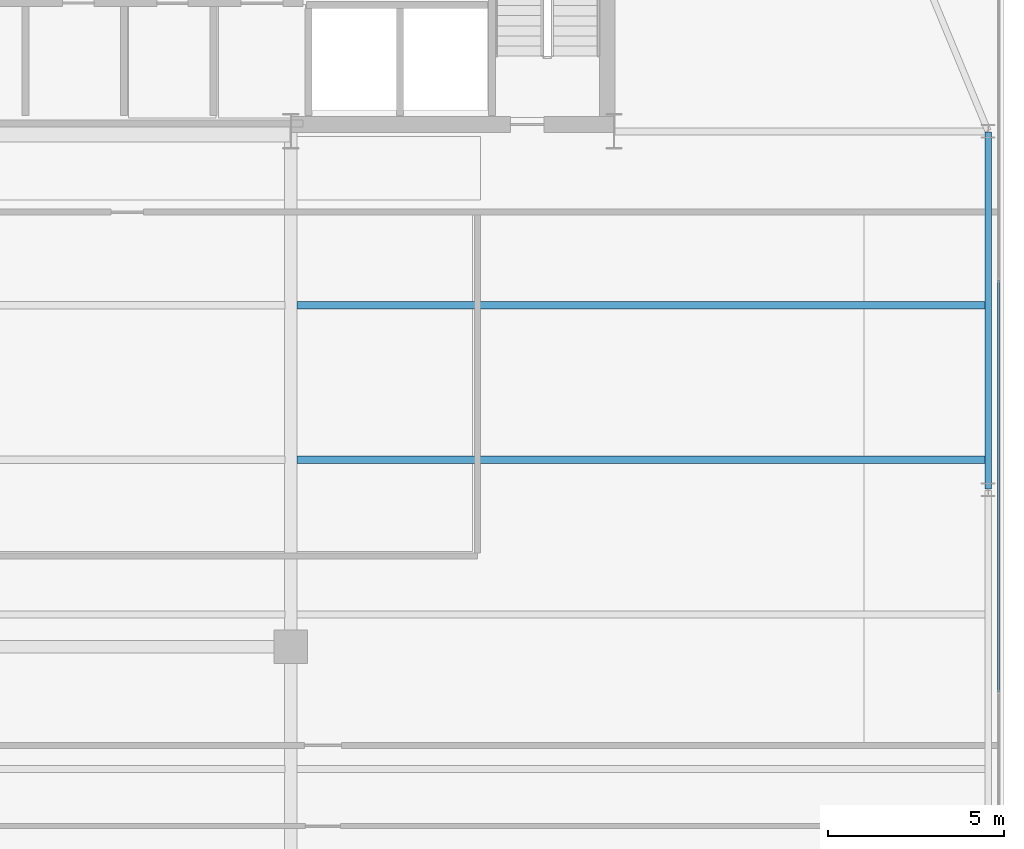
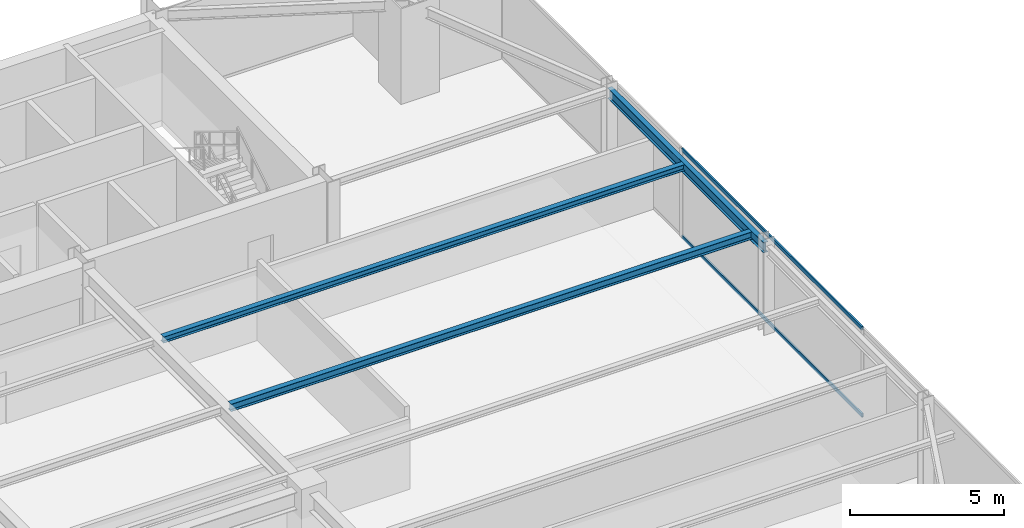
# One storey, part 19 of 31: 3 beams, 2 members, 1 element without a shape of its own.
"""IFC4 building model written with IfcOpenShell, lengths in metres."""

from ifc_helpers import new_model, si_unit, direction, frame, origin, origin_2d, place, context, subcontext, project, spatial, hollow_rectangle, i_section, extrude, source, transform, mapped, material, layer, layer_set, material_profile, profile_set, type_object, type_shapes, element, aggregate, save


model = new_model("IFC4")

# Units and contexts
model_context = context("Model", 3, precision=1e-05, world=origin(), true_north=direction((0.0, 1.0)))
body_context = subcontext(model_context, "Body", "Model", "MODEL_VIEW")
ifc_project = project(units=[si_unit("LENGTHUNIT", "METRE"), si_unit("AREAUNIT", "SQUARE_METRE"), si_unit("VOLUMEUNIT", "CUBIC_METRE"), si_unit("PLANEANGLEUNIT", "RADIAN"), si_unit("MASSUNIT", "GRAM", prefix="KILO")], contexts=[model_context])

# Site, building, storey
site_placement = place(None, origin())
site = spatial("IfcSite", under=ifc_project, at=site_placement, CompositionType="ELEMENT")
building_placement = place(site_placement, origin())
building = spatial("IfcBuilding", under=site, at=building_placement, Name="Varnel Quay Broadcast Tower", CompositionType="ELEMENT")
storey_placement = place(building_placement, frame((0.0, 0.0, 94.60009765625)))
storey = spatial("IfcBuildingStorey", under=building, at=storey_placement, Name="L22", CompositionType="ELEMENT", Elevation=94.60009765625)

# Beams
ifc_material_1 = material(Name="Structural Steel CSA G40.21 350W", Category="steel")
ifc_material_profile_1 = material_profile(ifc_material_1, i_section(OverallWidth=0.180908203125, OverallDepth=0.4169921875, WebThickness=0.010986328125, FlangeThickness=0.018310546875, FilletRadius=0.011962890625, at=origin_2d()), Name="W410X85")
ifc_profile_set_1 = profile_set([ifc_material_profile_1], Name="Structural Steel CSA G40.21 350W")
beam_type_1 = type_object("IfcBeamType", Name="Beam_W410X85", PredefinedType="SPANDREL", material=ifc_profile_set_1)
shared_shape_1 = source(origin(), body_context, "Body", "SweptSolid", [
    extrude(i_section(OverallWidth=0.180908203125, OverallDepth=0.4169921875, WebThickness=0.010986328125, FlangeThickness=0.018310546875, FilletRadius=0.011962890625, at=origin_2d()), origin(), (0.0, 0.0, 1.0), 10.16015625),
])
type_shapes(beam_type_1, [shared_shape_1])
beam_1_placement = place(storey_placement, frame((63.050048828125, 25.419921875, 3.3115234375), z_axis=(0.0, 1.0, 0.0), x_axis=(-1.0, 0.0, 0.0)))
element("IfcBeam", 1, at=beam_1_placement, inside=storey, type_object=beam_type_1, Name="L22 East Spandrel TC-E2-TC-E3", PredefinedType="SPANDREL", context=body_context, shape_type="MappedRepresentation", body=[
    mapped(shared_shape_1, transform((0.0, 0.0, 0.0), x_axis=(1.0, 0.0, 0.0), y_axis=(0.0, 1.0, 0.0), z_axis=(0.0, 0.0, 1.0), scale=1.0)),
])
ifc_material_profile_2 = material_profile(ifc_material_1, i_section(OverallWidth=0.202880859375, OverallDepth=0.302978515625, WebThickness=0.007568359375, FlangeThickness=0.01318359375, FilletRadius=0.011962890625, at=origin_2d()), Name="W310X60")
ifc_profile_set_2 = profile_set([ifc_material_profile_2], Name="Structural Steel CSA G40.21 350W")
beam_type_2 = type_object("IfcBeamType", Name="Beam_W310X60", PredefinedType="JOIST", material=ifc_profile_set_2)
shared_shape_2 = source(origin(), body_context, "Body", "SweptSolid", [
    extrude(i_section(OverallWidth=0.202880859375, OverallDepth=0.302978515625, WebThickness=0.007568359375, FlangeThickness=0.01318359375, FilletRadius=0.011962890625, at=origin_2d()), origin(), (0.0, 0.0, 1.0), 19.592041015625),
])
type_shapes(beam_type_2, [shared_shape_2])
beam_2_placement = place(storey_placement, frame((43.37255859375, 26.25, 3.368408203125), z_axis=(1.0, 0.0, 0.0), x_axis=(0.0, 1.0, 0.0)))
element("IfcBeam", 2, at=beam_2_placement, inside=storey, type_object=beam_type_2, Name="L22 East Floor Joist 5", PredefinedType="JOIST", context=body_context, shape_type="MappedRepresentation", body=[
    mapped(shared_shape_2, transform((0.0, 0.0, 0.0), x_axis=(1.0, 0.0, 0.0), y_axis=(0.0, 1.0, 0.0), z_axis=(0.0, 0.0, 1.0), scale=1.0)),
])
ifc_material_profile_3 = material_profile(ifc_material_1, i_section(OverallWidth=0.201904296875, OverallDepth=0.2470703125, WebThickness=0.00732421875, FlangeThickness=0.010986328125, FilletRadius=0.010986328125, at=origin_2d()), Name="W250X49")
ifc_profile_set_3 = profile_set([ifc_material_profile_3], Name="Structural Steel CSA G40.21 350W")
beam_type_3 = type_object("IfcBeamType", Name="Beam_W250X49", PredefinedType="JOIST", material=ifc_profile_set_3)
shared_shape_3 = source(origin(), body_context, "Body", "SweptSolid", [
    extrude(i_section(OverallWidth=0.201904296875, OverallDepth=0.2470703125, WebThickness=0.00732421875, FlangeThickness=0.010986328125, FilletRadius=0.010986328125, at=origin_2d()), origin(), (0.0, 0.0, 1.0), 19.592041015625),
])
type_shapes(beam_type_3, [shared_shape_3])
beam_3_placement = place(storey_placement, frame((43.37255859375, 30.64990234375, 3.396484375), z_axis=(1.0, 0.0, 0.0), x_axis=(0.0, 1.0, 0.0)))
element("IfcBeam", 3, at=beam_3_placement, inside=storey, type_object=beam_type_3, Name="L22 East Floor Joist 6", PredefinedType="JOIST", context=body_context, shape_type="MappedRepresentation", body=[
    mapped(shared_shape_3, transform((0.0, 0.0, 0.0), x_axis=(1.0, 0.0, 0.0), y_axis=(0.0, 1.0, 0.0), z_axis=(0.0, 0.0, 1.0), scale=1.0)),
])

# Curtain wall, members
ifc_material_2 = material(Name="Anodised Bronze Aluminium 6063-T6", Category="aluminium")
ifc_layer = layer(ifc_material_2, 0.18994140625, Name="Anodised Bronze Aluminium 6063-T6")
ifc_layer_set = layer_set([ifc_layer], Name="Anodised Bronze Aluminium 6063-T6")
curtain_wall_type = type_object("IfcCurtainWallType", Name="CW_LowerTower", PredefinedType="NOTDEFINED", material=ifc_layer_set)
curtain_wall_placement = place(storey_placement, origin())
curtain_wall = element("IfcCurtainWall", 4, at=curtain_wall_placement, inside=storey, type_object=curtain_wall_type, Name="L22 East Unitised Curtain Wall", PredefinedType="NOTDEFINED")
ifc_material_profile_4 = material_profile(ifc_material_2, hollow_rectangle(XDim=0.06005859375, YDim=0.14501953125, WallThickness=0.00341796875, at=origin_2d()), Name="ALU60X145X3.5")
ifc_profile_set_4 = profile_set([ifc_material_profile_4], Name="Anodised Bronze Aluminium 6063-T6")
member_type = type_object("IfcMemberType", Name="Tran_CWS-02", PredefinedType="USERDEFINED", material=ifc_profile_set_4)
shared_shape_4 = source(origin(), body_context, "Body", "SweptSolid", [
    extrude(hollow_rectangle(XDim=0.06005859375, YDim=0.14501953125, WallThickness=0.00341796875, at=origin_2d()), origin(), (0.0, 0.0, 1.0), 11.72998046875),
])
type_shapes(member_type, [shared_shape_4])
member_1_placement = place(storey_placement, frame((63.35009765625, 19.635009765625, 0.02978515625), z_axis=(0.0, 1.0, 0.0), x_axis=(-1.0, 0.0, 0.0)))
member_1 = element("IfcMember", 5, at=member_1_placement, type_object=member_type, Name="CWS-02 transom 2.1", ObjectType="TRANSOM", PredefinedType="USERDEFINED", context=body_context, shape_type="MappedRepresentation", body=[
    mapped(shared_shape_4, transform((0.0, 0.0, 0.0), x_axis=(1.0, 0.0, 0.0), y_axis=(0.0, 1.0, 0.0), z_axis=(0.0, 0.0, 1.0), scale=1.0)),
])
member_2_placement = place(storey_placement, frame((63.35009765625, 19.635009765625, 3.489990234375), z_axis=(0.0, 1.0, 0.0), x_axis=(-1.0, 0.0, 0.0)))
member_2 = element("IfcMember", 6, at=member_2_placement, type_object=member_type, Name="CWS-02 transom 2.2", ObjectType="TRANSOM", PredefinedType="USERDEFINED", context=body_context, shape_type="MappedRepresentation", body=[
    mapped(shared_shape_4, transform((0.0, 0.0, 0.0), x_axis=(1.0, 0.0, 0.0), y_axis=(0.0, 1.0, 0.0), z_axis=(0.0, 0.0, 1.0), scale=1.0)),
])
aggregate(curtain_wall, [member_1, member_2])

save(model, "model.ifc")
